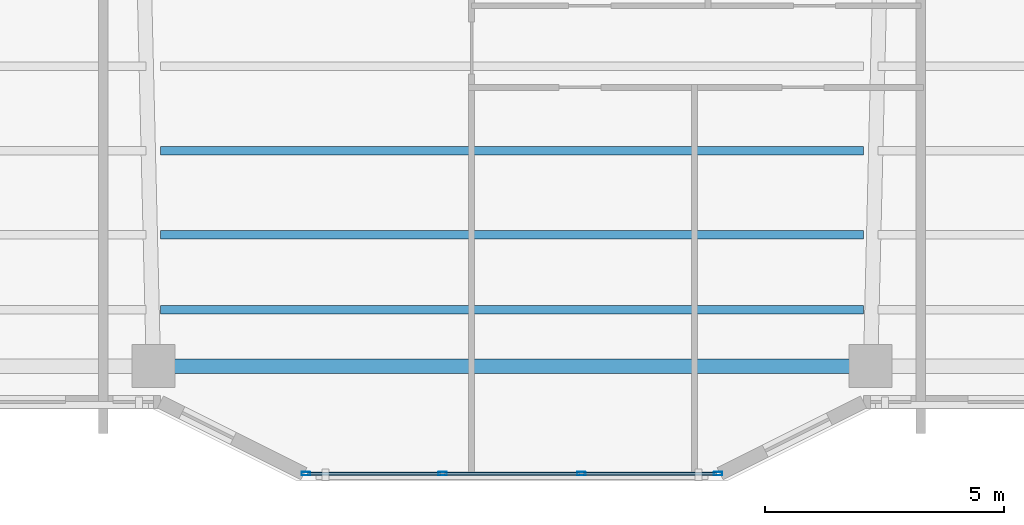
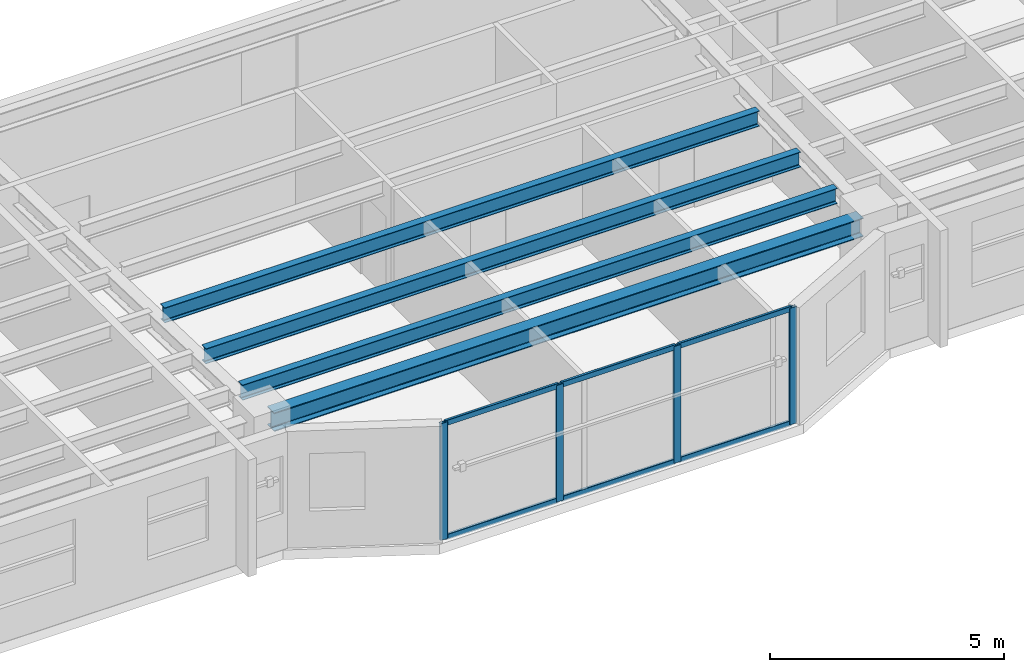
# One storey, part 2 of 15: 10 members, 4 beams, 1 element without a shape of its own.
"""IFC4 building model written with IfcOpenShell, lengths in metres."""

from ifc_helpers import new_model, si_unit, direction, frame, origin, origin_2d, place, context, subcontext, project, spatial, hollow_rectangle, i_section, extrude, material, layer, layer_set, material_profile, profile_set, type_object, element, aggregate, save


model = new_model("IFC4")

# Units and contexts
model_context = context("Model", 3, precision=1e-05, world=origin(), true_north=direction((0.0, 1.0)))
body_context = subcontext(model_context, "Body", "Model", "MODEL_VIEW")
ifc_project = project(units=[si_unit("LENGTHUNIT", "METRE"), si_unit("AREAUNIT", "SQUARE_METRE"), si_unit("VOLUMEUNIT", "CUBIC_METRE"), si_unit("PLANEANGLEUNIT", "RADIAN"), si_unit("MASSUNIT", "GRAM", prefix="KILO")], contexts=[model_context])

# Site, building, storey
site_placement = place(None, origin())
site = spatial("IfcSite", under=ifc_project, at=site_placement, CompositionType="ELEMENT")
building_placement = place(site_placement, origin())
building = spatial("IfcBuilding", under=site, at=building_placement, Name="Tarnavaz Court Tower", CompositionType="ELEMENT")
storey_placement = place(building_placement, frame((0.0, 0.0, 169.449951171875)))
storey = spatial("IfcBuildingStorey", under=building, at=storey_placement, Name="L46", CompositionType="ELEMENT", Elevation=169.449951171875)

# Beams
ifc_material_1 = material(Name="Steel S355", Category="steel")
ifc_material_profile_1 = material_profile(ifc_material_1, i_section(OverallWidth=0.179931640625, OverallDepth=0.39990234375, WebThickness=0.008544921875, FlangeThickness=0.013427734375, FilletRadius=0.02099609375, at=origin_2d()), Name="IPE 400")
ifc_profile_set_1 = profile_set([ifc_material_profile_1], Name="Steel S355")
beam_type_1 = type_object("IfcBeamType", Name="BM-J-IPE400", PredefinedType="JOIST", material=ifc_profile_set_1)
for number, where, z_axis, x_axis, name in (
    (1, (-7.35009765625, -15.89208984375, 2.85009765625), (1.0, 0.0, 0.0), (0.0, 1.0, 0.0), "L46 Beam JS3-2"),
    (2, (-7.35009765625, -17.656005859375, 2.85009765625), (1.0, 0.0, 0.0), (0.0, 1.0, 0.0), "L46 Beam JS4-2"),
    (3, (-7.35009765625, -19.22412109375, 2.85009765625), (1.0, 0.0, 0.0), (0.0, 1.0, 0.0), "L46 Beam JS5-2"),
):
    element("IfcBeam", number, at=place(storey_placement, frame(where, z_axis=z_axis, x_axis=x_axis)), inside=storey, type_object=beam_type_1, Name=name, PredefinedType="JOIST", context=body_context, shape_type="SweptSolid", body=[
        extrude(i_section(OverallWidth=0.179931640625, OverallDepth=0.39990234375, WebThickness=0.008544921875, FlangeThickness=0.013427734375, FilletRadius=0.02099609375, at=origin_2d()), origin(), (0.0, 0.0, 1.0), 14.7001953125),
    ])
ifc_material_profile_2 = material_profile(ifc_material_1, i_section(OverallWidth=0.300048828125, OverallDepth=0.489990234375, WebThickness=0.011962890625, FlangeThickness=0.02294921875, FilletRadius=0.027099609375, at=origin_2d()), Name="HEA 500")
ifc_profile_set_2 = profile_set([ifc_material_profile_2], Name="Steel S355")
beam_type_2 = type_object("IfcBeamType", Name="BM-SP-HEA500", PredefinedType="SPANDREL", material=ifc_profile_set_2)
beam_placement = place(storey_placement, frame((-7.280029296875, -20.39990234375, 2.804931640625), z_axis=(1.0, 0.0, 0.0), x_axis=(0.0, 1.0, 0.0)))
element("IfcBeam", 4, at=beam_placement, inside=storey, type_object=beam_type_2, Name="L46 Beam PR-PS-2-PS-3", PredefinedType="SPANDREL", context=body_context, shape_type="SweptSolid", body=[
    extrude(i_section(OverallWidth=0.300048828125, OverallDepth=0.489990234375, WebThickness=0.011962890625, FlangeThickness=0.02294921875, FilletRadius=0.027099609375, at=origin_2d()), origin(), (0.0, 0.0, 1.0), 14.56005859375),
])

# Curtain wall, members
ifc_material_2 = material(Name="Anodised Aluminium 6063-T6 and Solar Low-E Glazing", Category="aluminium")
ifc_layer = layer(ifc_material_2, 0.159912109375)
ifc_layer_set = layer_set([ifc_layer], Name="Anodised Aluminium 6063-T6 and Solar Low-E Glazing")
curtain_wall_type = type_object("IfcCurtainWallType", Name="CW-SYS-03", PredefinedType="NOTDEFINED", material=ifc_layer_set)
curtain_wall_placement = place(storey_placement, origin())
curtain_wall = element("IfcCurtainWall", 5, at=curtain_wall_placement, inside=storey, type_object=curtain_wall_type, Name="L46 Iwan Prow Curtain Wall 17", PredefinedType="NOTDEFINED")
ifc_material_3 = material(Name="Anodised Aluminium 6063-T6", Category="aluminium")
ifc_material_profile_3 = material_profile(ifc_material_3, hollow_rectangle(XDim=0.074951171875, YDim=0.179931640625, WallThickness=0.0048828125, InnerFilletRadius=0.0048828125, OuterFilletRadius=0.010009765625, at=origin_2d()), Name="ALU RHS 180X75X5")
ifc_profile_set_3 = profile_set([ifc_material_profile_3], Name="Anodised Aluminium 6063-T6")
member_type_1 = type_object("IfcMemberType", Name="CW-MUL-180", PredefinedType="MULLION", material=ifc_profile_set_3)
member_1_placement = place(storey_placement, frame((4.3125, -22.64990234375, 0.0), z_axis=(0.0, 0.0, 1.0), x_axis=(0.0, -1.0, 0.0)))
member_1 = element("IfcMember", 6, at=member_1_placement, type_object=member_type_1, Name="CW mullion 1", PredefinedType="MULLION", context=body_context, shape_type="SweptSolid", body=[
    extrude(hollow_rectangle(XDim=0.074951171875, YDim=0.179931640625, WallThickness=0.0048828125, InnerFilletRadius=0.0048828125, OuterFilletRadius=0.010009765625, at=origin_2d()), origin(), (0.0, 0.0, 1.0), 3.050048828125),
])
member_2_placement = place(storey_placement, frame((1.449951171875, -22.64990234375, 0.0), z_axis=(0.0, 0.0, 1.0), x_axis=(0.0, -1.0, 0.0)))
member_2 = element("IfcMember", 7, at=member_2_placement, type_object=member_type_1, Name="CW mullion 2", PredefinedType="MULLION", context=body_context, shape_type="SweptSolid", body=[
    extrude(hollow_rectangle(XDim=0.074951171875, YDim=0.179931640625, WallThickness=0.0048828125, InnerFilletRadius=0.0048828125, OuterFilletRadius=0.010009765625, at=origin_2d()), origin(), (0.0, 0.0, 1.0), 3.050048828125),
])
member_3_placement = place(storey_placement, frame((-1.449951171875, -22.64990234375, 0.0), z_axis=(0.0, 0.0, 1.0), x_axis=(0.0, -1.0, 0.0)))
member_3 = element("IfcMember", 8, at=member_3_placement, type_object=member_type_1, Name="CW mullion 3", PredefinedType="MULLION", context=body_context, shape_type="SweptSolid", body=[
    extrude(hollow_rectangle(XDim=0.074951171875, YDim=0.179931640625, WallThickness=0.0048828125, InnerFilletRadius=0.0048828125, OuterFilletRadius=0.010009765625, at=origin_2d()), origin(), (0.0, 0.0, 1.0), 3.050048828125),
])
member_4_placement = place(storey_placement, frame((-4.3125, -22.64990234375, 0.0), z_axis=(0.0, 0.0, 1.0), x_axis=(0.0, -1.0, 0.0)))
member_4 = element("IfcMember", 9, at=member_4_placement, type_object=member_type_1, Name="CW mullion 4", PredefinedType="MULLION", context=body_context, shape_type="SweptSolid", body=[
    extrude(hollow_rectangle(XDim=0.074951171875, YDim=0.179931640625, WallThickness=0.0048828125, InnerFilletRadius=0.0048828125, OuterFilletRadius=0.010009765625, at=origin_2d()), origin(), (0.0, 0.0, 1.0), 3.050048828125),
])
ifc_material_profile_4 = material_profile(ifc_material_3, hollow_rectangle(XDim=0.06494140625, YDim=0.139892578125, WallThickness=0.00390625, InnerFilletRadius=0.00390625, OuterFilletRadius=0.008056640625, at=origin_2d()), Name="ALU RHS 140X65X4")
ifc_profile_set_4 = profile_set([ifc_material_profile_4], Name="Anodised Aluminium 6063-T6")
member_type_2 = type_object("IfcMemberType", Name="CW-TRN-140", PredefinedType="USERDEFINED", material=ifc_profile_set_4)
member_5_placement = place(storey_placement, frame((4.27490234375, -22.64990234375, 0.032470703125), z_axis=(-1.0, 0.0, 0.0), x_axis=(0.0, -1.0, 0.0)))
member_5 = element("IfcMember", 10, at=member_5_placement, type_object=member_type_2, Name="CW transom 1.1", ObjectType="TRANSOM", PredefinedType="USERDEFINED", context=body_context, shape_type="SweptSolid", body=[
    extrude(hollow_rectangle(XDim=0.06494140625, YDim=0.139892578125, WallThickness=0.00390625, InnerFilletRadius=0.00390625, OuterFilletRadius=0.008056640625, at=origin_2d()), origin(), (0.0, 0.0, 1.0), 2.787353515625),
])
member_6_placement = place(storey_placement, frame((4.27490234375, -22.64990234375, 3.017578125), z_axis=(-1.0, 0.0, 0.0), x_axis=(0.0, -1.0, 0.0)))
member_6 = element("IfcMember", 11, at=member_6_placement, type_object=member_type_2, Name="CW transom 1.2", ObjectType="TRANSOM", PredefinedType="USERDEFINED", context=body_context, shape_type="SweptSolid", body=[
    extrude(hollow_rectangle(XDim=0.06494140625, YDim=0.139892578125, WallThickness=0.00390625, InnerFilletRadius=0.00390625, OuterFilletRadius=0.008056640625, at=origin_2d()), origin(), (0.0, 0.0, 1.0), 2.787353515625),
])
member_7_placement = place(storey_placement, frame((1.41259765625, -22.64990234375, 0.032470703125), z_axis=(-1.0, 0.0, 0.0), x_axis=(0.0, -1.0, 0.0)))
member_7 = element("IfcMember", 12, at=member_7_placement, type_object=member_type_2, Name="CW transom 2.1", ObjectType="TRANSOM", PredefinedType="USERDEFINED", context=body_context, shape_type="SweptSolid", body=[
    extrude(hollow_rectangle(XDim=0.06494140625, YDim=0.139892578125, WallThickness=0.00390625, InnerFilletRadius=0.00390625, OuterFilletRadius=0.008056640625, at=origin_2d()), origin(), (0.0, 0.0, 1.0), 2.8251953125),
])
member_8_placement = place(storey_placement, frame((1.41259765625, -22.64990234375, 3.017578125), z_axis=(-1.0, 0.0, 0.0), x_axis=(0.0, -1.0, 0.0)))
member_8 = element("IfcMember", 13, at=member_8_placement, type_object=member_type_2, Name="CW transom 2.2", ObjectType="TRANSOM", PredefinedType="USERDEFINED", context=body_context, shape_type="SweptSolid", body=[
    extrude(hollow_rectangle(XDim=0.06494140625, YDim=0.139892578125, WallThickness=0.00390625, InnerFilletRadius=0.00390625, OuterFilletRadius=0.008056640625, at=origin_2d()), origin(), (0.0, 0.0, 1.0), 2.8251953125),
])
member_9_placement = place(storey_placement, frame((-1.487548828125, -22.64990234375, 0.032470703125), z_axis=(-1.0, 0.0, 0.0), x_axis=(0.0, -1.0, 0.0)))
member_9 = element("IfcMember", 14, at=member_9_placement, type_object=member_type_2, Name="CW transom 3.1", ObjectType="TRANSOM", PredefinedType="USERDEFINED", context=body_context, shape_type="SweptSolid", body=[
    extrude(hollow_rectangle(XDim=0.06494140625, YDim=0.139892578125, WallThickness=0.00390625, InnerFilletRadius=0.00390625, OuterFilletRadius=0.008056640625, at=origin_2d()), origin(), (0.0, 0.0, 1.0), 2.787353515625),
])
member_10_placement = place(storey_placement, frame((-1.487548828125, -22.64990234375, 3.017578125), z_axis=(-1.0, 0.0, 0.0), x_axis=(0.0, -1.0, 0.0)))
member_10 = element("IfcMember", 15, at=member_10_placement, type_object=member_type_2, Name="CW transom 3.2", ObjectType="TRANSOM", PredefinedType="USERDEFINED", context=body_context, shape_type="SweptSolid", body=[
    extrude(hollow_rectangle(XDim=0.06494140625, YDim=0.139892578125, WallThickness=0.00390625, InnerFilletRadius=0.00390625, OuterFilletRadius=0.008056640625, at=origin_2d()), origin(), (0.0, 0.0, 1.0), 2.787353515625),
])
aggregate(curtain_wall, [member_1, member_2, member_3, member_4, member_5, member_6, member_7, member_8, member_9, member_10])

save(model, "model.ifc")
